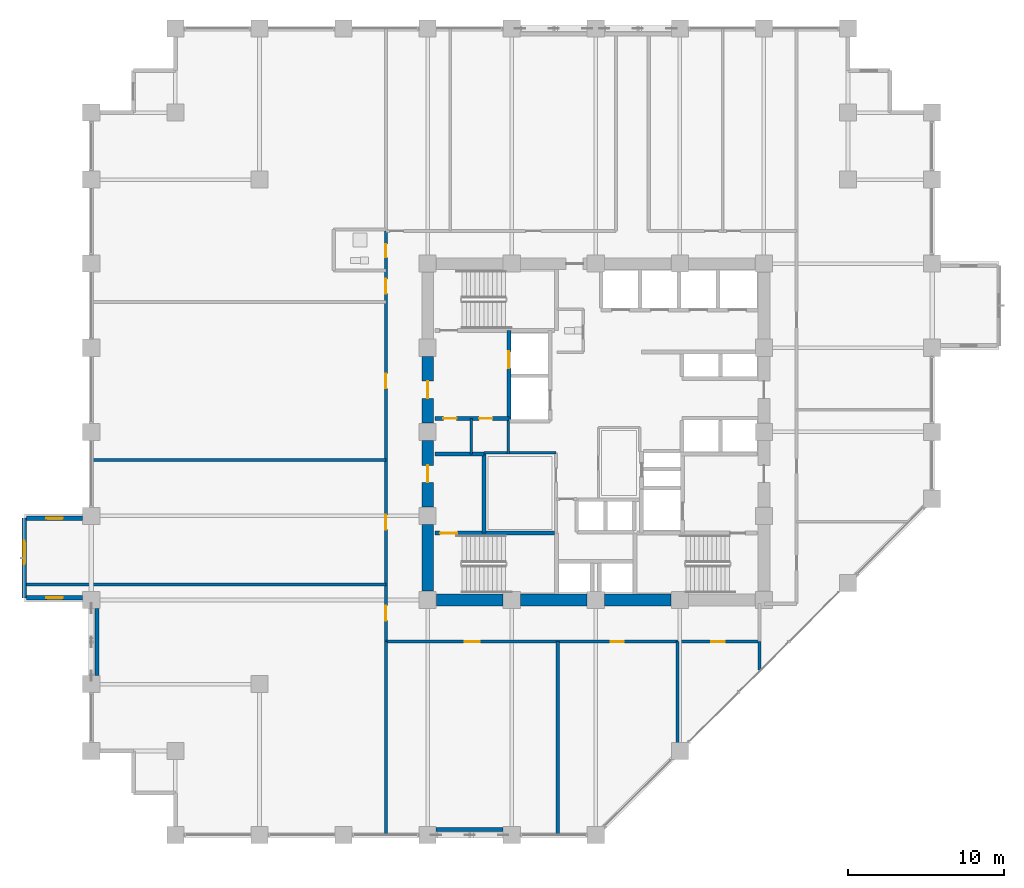
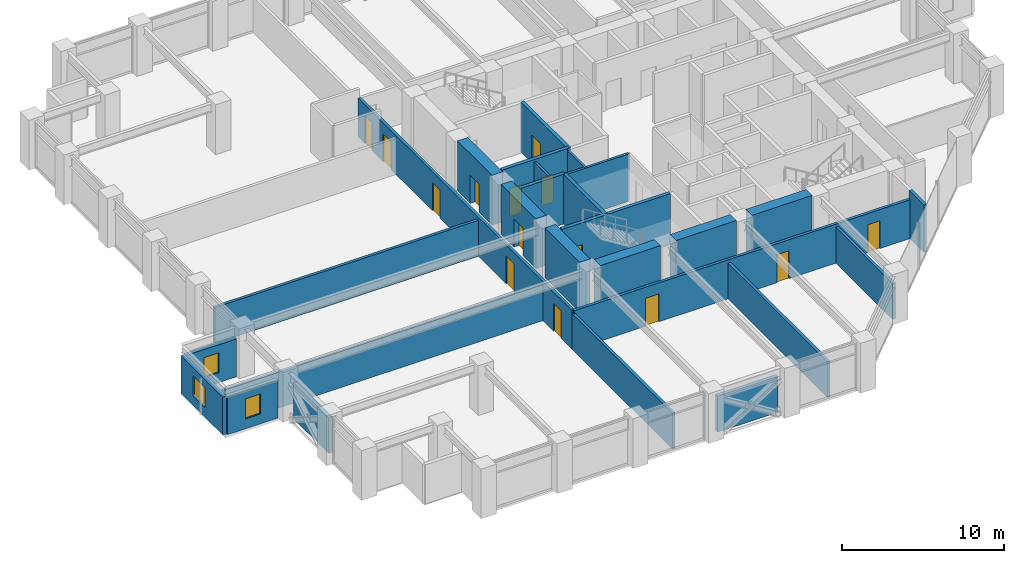
# One storey, part 22 of 29: 27 walls, 14 doors, 3 windows, 17 openings.
"""IFC4 building model written with IfcOpenShell, lengths in metres."""

from ifc_helpers import new_model, si_unit, direction, frame, frame_2d, origin, place, context, subcontext, project, spatial, rectangle, extrude, material, layer, layer_set, type_object, element, fill, save


model = new_model("IFC4")

# Units and contexts
model_context = context("Model", 3, precision=1e-05, world=origin(), true_north=direction((0.0, 1.0)))
body_context = subcontext(model_context, "Body", "Model", "MODEL_VIEW")
ifc_project = project(units=[si_unit("LENGTHUNIT", "METRE"), si_unit("AREAUNIT", "SQUARE_METRE"), si_unit("VOLUMEUNIT", "CUBIC_METRE"), si_unit("PLANEANGLEUNIT", "RADIAN"), si_unit("MASSUNIT", "GRAM", prefix="KILO")], contexts=[model_context])

# Site, building, storey
site_placement = place(None, origin())
site = spatial("IfcSite", under=ifc_project, at=site_placement, CompositionType="ELEMENT")
building_placement = place(site_placement, origin())
building = spatial("IfcBuilding", under=site, at=building_placement, Name="Surkhivell Harbour Commons", CompositionType="ELEMENT")
storey_placement = place(building_placement, frame((0.0, 0.0, 90.75)))
storey = spatial("IfcBuildingStorey", under=building, at=storey_placement, Name="L23", CompositionType="ELEMENT", Elevation=90.75)

# Walls
ifc_material_1 = material(Name="Concrete C60/75", Category="concrete")
ifc_layer_1 = layer(ifc_material_1, 0.75)
ifc_layer_set_1 = layer_set([ifc_layer_1], Name="Concrete C60/75")
wall_type_1 = type_object("IfcWallType", Name="WAL-CORE-750", PredefinedType="SHEAR", material=ifc_layer_set_1)
for number, where, z_axis, x_axis, name in (
    (1, (-10.239990234375, -10.800048828125, 0.0), (0.0, 0.0, 1.0), (1.0, 0.0, 0.0), "L23 Core Shear Wall South 1"),
    (2, (-10.800048828125, -10.239990234375, 0.0), (0.0, 0.0, 1.0), (0.0, 1.0, 0.0), "L23 Core Shear Wall West 1"),
    (3, (-4.840087890625, -10.800048828125, 0.0), (0.0, 0.0, 1.0), (1.0, 0.0, 0.0), "L23 Core Shear Wall South 2"),
):
    element("IfcWall", number, at=place(storey_placement, frame(where, z_axis=z_axis, x_axis=x_axis)), inside=storey, type_object=wall_type_1, Name=name, PredefinedType="SHEAR", context=body_context, shape_type="SweptSolid", body=[
        extrude(rectangle(XDim=4.280029296875, YDim=0.75, at=frame_2d((2.14013671875, 0.0))), origin(), (0.0, 0.0, 1.0), 3.75),
    ])

# Wall, opening, door
wall_1_placement = place(storey_placement, frame((-10.800048828125, -4.840087890625, 0.0), z_axis=(0.0, 0.0, 1.0), x_axis=(0.0, 1.0, 0.0)))
wall_1 = element("IfcWall", 4, at=wall_1_placement, inside=storey, type_object=wall_type_1, Name="L23 Core Shear Wall West 2", PredefinedType="SHEAR", context=body_context, shape_type="SweptSolid", body=[
    extrude(rectangle(XDim=4.280029296875, YDim=0.75, at=frame_2d((2.14013671875, 0.0))), origin(), (0.0, 0.0, 1.0), 3.75),
])
opening_1_placement = place(wall_1_placement, frame((1.590087890625, 0.0, 0.0)))
opening_1 = element("IfcOpeningElement", 5, at=opening_1_placement, cuts=wall_1, Name="Opening ID-2", PredefinedType="OPENING", context=body_context, shape_type="SweptSolid", body=[
    extrude(rectangle(XDim=1.10009765625, YDim=2.10009765625, at=frame_2d((0.550048828125, 1.050048828125))), frame((0.0, 0.385009765625, 0.0), z_axis=(0.0, -1.0, 0.0), x_axis=(1.0, 0.0, 0.0)), (0.0, 0.0, 1.0), 0.77001953125),
])
ifc_material_2 = material(Name="Hardwood-veneered fire-rated door leaf", Category="wood")
door_type_1 = type_object("IfcDoorType", Name="DOR-FD60-1100", OperationType="NOTDEFINED", PredefinedType="DOOR", material=ifc_material_2)
door_1_placement = place(opening_1_placement, origin())
door_1 = element("IfcDoor", 6, at=door_1_placement, inside=storey, type_object=door_type_1, Name="L23 Stair 3 Lobby Corridor Door", OperationType="SINGLE_SWING_LEFT", OverallHeight=2.10009765625, OverallWidth=1.10009765625, PredefinedType="DOOR", context=body_context, shape_type="SweptSolid", body=[
    extrude(rectangle(XDim=1.10009765625, YDim=2.10009765625, at=frame_2d((0.550048828125, 1.050048828125))), frame((0.0, 0.02490234375, 0.0), z_axis=(0.0, -1.0, 0.0), x_axis=(1.0, 0.0, 0.0)), (0.0, 0.0, 1.0), 0.050048828125),
])
fill(opening_1, door_1)

# Wall
wall_2_placement = place(storey_placement, frame((0.56005859375, -10.800048828125, 0.0), z_axis=(0.0, 0.0, 1.0), x_axis=(1.0, 0.0, 0.0)))
element("IfcWall", 7, at=wall_2_placement, inside=storey, type_object=wall_type_1, Name="L23 Core Shear Wall South 3", PredefinedType="SHEAR", context=body_context, shape_type="SweptSolid", body=[
    extrude(rectangle(XDim=4.280029296875, YDim=0.75, at=frame_2d((2.14013671875, 0.0))), origin(), (0.0, 0.0, 1.0), 3.75),
])

# Wall, opening, door
wall_3_placement = place(storey_placement, frame((-10.800048828125, 0.56005859375, 0.0), z_axis=(0.0, 0.0, 1.0), x_axis=(0.0, 1.0, 0.0)))
wall_3 = element("IfcWall", 8, at=wall_3_placement, inside=storey, type_object=wall_type_1, Name="L23 Core Shear Wall West 3", PredefinedType="SHEAR", context=body_context, shape_type="SweptSolid", body=[
    extrude(rectangle(XDim=4.280029296875, YDim=0.75, at=frame_2d((2.14013671875, 0.0))), origin(), (0.0, 0.0, 1.0), 3.75),
])
opening_2_placement = place(wall_3_placement, frame((1.590087890625, 0.0, 0.0)))
opening_2 = element("IfcOpeningElement", 9, at=opening_2_placement, cuts=wall_3, Name="Opening ID-1", PredefinedType="OPENING", context=body_context, shape_type="SweptSolid", body=[
    extrude(rectangle(XDim=1.10009765625, YDim=2.10009765625, at=frame_2d((0.550048828125, 1.050048828125))), frame((0.0, 0.385009765625, 0.0), z_axis=(0.0, -1.0, 0.0), x_axis=(1.0, 0.0, 0.0)), (0.0, 0.0, 1.0), 0.77001953125),
])
door_type_2 = type_object("IfcDoorType", Name="DOR-FD120-1100", OperationType="NOTDEFINED", PredefinedType="DOOR", material=ifc_material_2)
door_2_placement = place(opening_2_placement, origin())
door_2 = element("IfcDoor", 10, at=door_2_placement, inside=storey, type_object=door_type_2, Name="L23 Firefighting Lobby 1 Corridor Door", OperationType="SINGLE_SWING_LEFT", OverallHeight=2.10009765625, OverallWidth=1.10009765625, PredefinedType="DOOR", context=body_context, shape_type="SweptSolid", body=[
    extrude(rectangle(XDim=1.10009765625, YDim=2.10009765625, at=frame_2d((0.550048828125, 1.050048828125))), frame((0.0, 0.02490234375, 0.0), z_axis=(0.0, -1.0, 0.0), x_axis=(1.0, 0.0, 0.0)), (0.0, 0.0, 1.0), 0.050048828125),
])
fill(opening_2, door_2)

# Walls
ifc_material_3 = material(Name="Pale-metal insulated precast concrete C45/55", Category="concrete")
ifc_layer_2 = layer(ifc_material_3, 0.260009765625)
ifc_layer_set_2 = layer_set([ifc_layer_2], Name="Pale-metal insulated precast concrete C45/55")
wall_type_2 = type_object("IfcWallType", Name="WAL-EXT-MTL260", PredefinedType="STANDARD", material=ifc_layer_set_2)
wall_4_placement = place(storey_placement, frame((-10.251953125, -25.5400390625, 0.0), z_axis=(0.0, 0.0, 1.0), x_axis=(1.0, 0.0, 0.0)))
element("IfcWall", 11, at=wall_4_placement, inside=storey, type_object=wall_type_2, Name="L23 Braced-Bay Insulated Spandrel Backing S", PredefinedType="STANDARD", context=body_context, shape_type="SweptSolid", body=[
    extrude(rectangle(XDim=4.303955078125, YDim=0.260009765625, at=frame_2d((2.15185546875, 0.0))), origin(), (0.0, 0.0, 1.0), 2.698974609375),
])
wall_5_placement = place(storey_placement, frame((-32.0400390625, -15.652099609375, 0.0), z_axis=(0.0, 0.0, 1.0), x_axis=(0.0, 1.0, 0.0)))
element("IfcWall", 12, at=wall_5_placement, inside=storey, type_object=wall_type_2, Name="L23 Braced-Bay Insulated Spandrel Backing W", PredefinedType="STANDARD", context=body_context, shape_type="SweptSolid", body=[
    extrude(rectangle(XDim=4.30419921875, YDim=0.260009765625, at=frame_2d((2.152099609375, 0.0))), origin(), (0.0, 0.0, 1.0), 2.698974609375),
])

# Wall, opening, window
ifc_material_4 = material(Name="Terracotta-clad reinforced concrete C45/55", Category="masonry")
ifc_layer_3 = layer(ifc_material_4, 0.280029296875)
ifc_layer_set_3 = layer_set([ifc_layer_3], Name="Terracotta-clad reinforced concrete C45/55")
wall_type_3 = type_object("IfcWallType", Name="WAL-EXT-TER280", PredefinedType="STANDARD", material=ifc_layer_set_3)
wall_6_placement = place(storey_placement, frame((-36.699951171875, -5.52001953125, 0.0), z_axis=(0.0, 0.0, 1.0), x_axis=(0.0, -1.0, 0.0)))
wall_6 = element("IfcWall", 13, at=wall_6_placement, inside=storey, type_object=wall_type_3, Name="L23 Coloured Box Front Wall 02", PredefinedType="STANDARD", context=body_context, shape_type="SweptSolid", body=[
    extrude(rectangle(XDim=5.159912109375, YDim=0.280029296875, at=frame_2d((2.580078125, 0.0))), origin(), (0.0, 0.0, 1.0), 2.85693359375),
])
opening_3_placement = place(wall_6_placement, frame((1.47998046875, 0.0, 0.75)))
opening_3 = element("IfcOpeningElement", 14, at=opening_3_placement, cuts=wall_6, Name="Opening WN-13", PredefinedType="OPENING", context=body_context, shape_type="SweptSolid", body=[
    extrude(rectangle(XDim=1.5, YDim=1.5, at=frame_2d((0.75, 0.75))), frame((0.0, 0.14990234375, 0.0), z_axis=(0.0, -1.0, 0.0), x_axis=(1.0, 0.0, 0.0)), (0.0, 0.0, 1.0), 0.300048828125),
])
ifc_material_5 = material(Name="Thermal-break aluminium frame and double low-E glazing", Category="aluminium")
window_type_1 = type_object("IfcWindowType", Name="WIN-BOX-1500x1500", PartitioningType="SINGLE_PANEL", PredefinedType="WINDOW", material=ifc_material_5)
window_1_placement = place(opening_3_placement, origin())
window_1 = element("IfcWindow", 15, at=window_1_placement, inside=storey, type_object=window_type_1, Name="L23 Coloured Box Square Window 02-1", OverallHeight=1.5, OverallWidth=1.5, PartitioningType="SINGLE_PANEL", PredefinedType="WINDOW", context=body_context, shape_type="SweptSolid", body=[
    extrude(rectangle(XDim=1.5, YDim=1.5, at=frame_2d((0.75, 0.75))), frame((0.0, 0.030029296875, 0.0), z_axis=(0.0, -1.0, 0.0), x_axis=(1.0, 0.0, 0.0)), (0.0, 0.0, 1.0), 0.06005859375),
])
fill(opening_3, window_1)

wall_7_placement = place(storey_placement, frame((-36.56005859375, -10.659912109375, 0.0), z_axis=(0.0, 0.0, 1.0), x_axis=(1.0, 0.0, 0.0)))
wall_7 = element("IfcWall", 16, at=wall_7_placement, inside=storey, type_object=wall_type_3, Name="L23 Coloured Box Return Wall 02S", PredefinedType="STANDARD", context=body_context, shape_type="SweptSolid", body=[
    extrude(rectangle(XDim=3.60595703125, YDim=0.280029296875, at=frame_2d((1.802978515625, 0.0))), origin(), (0.0, 0.0, 1.0), 2.85693359375),
])
opening_4_placement = place(wall_7_placement, frame((1.278076171875, 0.0, 0.75)))
opening_4 = element("IfcOpeningElement", 17, at=opening_4_placement, cuts=wall_7, Name="Opening WN-11", PredefinedType="OPENING", context=body_context, shape_type="SweptSolid", body=[
    extrude(rectangle(XDim=1.050048828125, YDim=1.5, at=frame_2d((0.52490234375, 0.75))), frame((0.0, 0.14990234375, 0.0), z_axis=(0.0, -1.0, 0.0), x_axis=(1.0, 0.0, 0.0)), (0.0, 0.0, 1.0), 0.300048828125),
])
window_type_2 = type_object("IfcWindowType", Name="WIN-SER-1050x1500", PartitioningType="SINGLE_PANEL", PredefinedType="WINDOW", material=ifc_material_5)
window_2_placement = place(opening_4_placement, origin())
window_2 = element("IfcWindow", 18, at=window_2_placement, inside=storey, type_object=window_type_2, Name="L23 Coloured Box Return Window 02S", OverallHeight=1.5, OverallWidth=1.050048828125, PartitioningType="SINGLE_PANEL", PredefinedType="WINDOW", context=body_context, shape_type="SweptSolid", body=[
    extrude(rectangle(XDim=1.050048828125, YDim=1.5, at=frame_2d((0.52490234375, 0.75))), frame((0.0, 0.030029296875, 0.0), z_axis=(0.0, -1.0, 0.0), x_axis=(1.0, 0.0, 0.0)), (0.0, 0.0, 1.0), 0.06005859375),
])
fill(opening_4, window_2)

wall_8_placement = place(storey_placement, frame((-36.56005859375, -5.5400390625, 0.0), z_axis=(0.0, 0.0, 1.0), x_axis=(1.0, 0.0, 0.0)))
wall_8 = element("IfcWall", 19, at=wall_8_placement, inside=storey, type_object=wall_type_3, Name="L23 Coloured Box Return Wall 02N", PredefinedType="STANDARD", context=body_context, shape_type="SweptSolid", body=[
    extrude(rectangle(XDim=3.60595703125, YDim=0.280029296875, at=frame_2d((1.802978515625, 0.0))), origin(), (0.0, 0.0, 1.0), 2.85693359375),
])
opening_5_placement = place(wall_8_placement, frame((1.278076171875, 0.0, 0.75)))
opening_5 = element("IfcOpeningElement", 20, at=opening_5_placement, cuts=wall_8, Name="Opening WN-11", PredefinedType="OPENING", context=body_context, shape_type="SweptSolid", body=[
    extrude(rectangle(XDim=1.050048828125, YDim=1.5, at=frame_2d((0.52490234375, 0.75))), frame((0.0, 0.14990234375, 0.0), z_axis=(0.0, -1.0, 0.0), x_axis=(1.0, 0.0, 0.0)), (0.0, 0.0, 1.0), 0.300048828125),
])
window_3_placement = place(opening_5_placement, origin())
window_3 = element("IfcWindow", 21, at=window_3_placement, inside=storey, type_object=window_type_2, Name="L23 Coloured Box Return Window 02N", OverallHeight=1.5, OverallWidth=1.050048828125, PartitioningType="SINGLE_PANEL", PredefinedType="WINDOW", context=body_context, shape_type="SweptSolid", body=[
    extrude(rectangle(XDim=1.050048828125, YDim=1.5, at=frame_2d((0.52490234375, 0.75))), frame((0.0, 0.030029296875, 0.0), z_axis=(0.0, -1.0, 0.0), x_axis=(1.0, 0.0, 0.0)), (0.0, 0.0, 1.0), 0.06005859375),
])
fill(opening_5, window_3)

# Walls
ifc_material_6 = material(Name="Twin-stud acoustic fireboard partition", Category="other")
ifc_layer_4 = layer(ifc_material_6, 0.14990234375)
ifc_layer_set_4 = layer_set([ifc_layer_4], Name="Twin-stud acoustic fireboard partition")
wall_type_4 = type_object("IfcWallType", Name="WAL-INT-150", PredefinedType="PARTITIONING", material=ifc_layer_set_4)
wall_9_placement = place(storey_placement, frame((-8.0, -1.419921875, 0.0), z_axis=(0.0, 0.0, 1.0), x_axis=(0.0, 1.0, 0.0)))
element("IfcWall", 22, at=wall_9_placement, inside=storey, type_object=wall_type_4, Name="L23 West Core Cut D1", PredefinedType="PARTITIONING", context=body_context, shape_type="SweptSolid", body=[
    extrude(rectangle(XDim=2.27001953125, YDim=0.14990234375, at=frame_2d((1.135009765625, 0.0))), origin(), (0.0, 0.0, 1.0), 3.570068359375),
])
ifc_material_7 = material(Name="High-density acoustic blockwork fire partition", Category="masonry")
ifc_layer_5 = layer(ifc_material_7, 0.175048828125)
ifc_layer_set_5 = layer_set([ifc_layer_5], Name="High-density acoustic blockwork fire partition")
wall_type_5 = type_object("IfcWallType", Name="WAL-INT-175", PredefinedType="PARTITIONING", material=ifc_layer_set_5)
wall_10_placement = place(storey_placement, frame((-7.179931640625, -1.35009765625, 0.0), z_axis=(0.0, 0.0, 1.0), x_axis=(1.0, 0.0, 0.0)))
element("IfcWall", 23, at=wall_10_placement, inside=storey, type_object=wall_type_5, Name="L23 Core Service Bay North Wall", PredefinedType="PARTITIONING", context=body_context, shape_type="SweptSolid", body=[
    extrude(rectangle(XDim=4.6298828125, YDim=0.175048828125, at=frame_2d((2.31494140625, 0.0))), origin(), (0.0, 0.0, 1.0), 3.570068359375),
])
wall_11_placement = place(storey_placement, frame((-5.6201171875, -1.419921875, 0.0), z_axis=(0.0, 0.0, 1.0), x_axis=(0.0, 1.0, 0.0)))
element("IfcWall", 24, at=wall_11_placement, inside=storey, type_object=wall_type_5, Name="L23 West Core Bay East Wall", PredefinedType="PARTITIONING", context=body_context, shape_type="SweptSolid", body=[
    extrude(rectangle(XDim=2.139892578125, YDim=0.175048828125, at=frame_2d((1.06982421875, 0.0))), origin(), (0.0, 0.0, 1.0), 3.570068359375),
])
ifc_material_8 = material(Name="Autoclaved aerated concrete blockwork and fire plaster", Category="masonry")
ifc_layer_6 = layer(ifc_material_8, 0.199951171875)
ifc_layer_set_6 = layer_set([ifc_layer_6], Name="Autoclaved aerated concrete blockwork and fire plaster")
wall_type_6 = type_object("IfcWallType", Name="WAL-INT-200", PredefinedType="PARTITIONING", material=ifc_layer_set_6)
wall_12_placement = place(storey_placement, frame((10.52001953125, -15.295166015625, 0.0), z_axis=(0.0, 0.0, 1.0), x_axis=(0.0, 1.0, 0.0)))
element("IfcWall", 25, at=wall_12_placement, inside=storey, type_object=wall_type_6, Name="L23 South-East Wing Corner Divider", PredefinedType="PARTITIONING", context=body_context, shape_type="SweptSolid", body=[
    extrude(rectangle(XDim=1.815185546875, YDim=0.199951171875, at=frame_2d((0.90771484375, 0.0))), origin(), (0.0, 0.0, 1.0), 3.570068359375),
])
wall_13_placement = place(storey_placement, frame((-13.47998046875, -25.840087890625, 0.0), z_axis=(0.0, 0.0, 1.0), x_axis=(0.0, 1.0, 0.0)))
element("IfcWall", 26, at=wall_13_placement, inside=storey, type_object=wall_type_6, Name="L23 South-West Wing Corner Divider", PredefinedType="PARTITIONING", context=body_context, shape_type="SweptSolid", body=[
    extrude(rectangle(XDim=12.360107421875, YDim=0.199951171875, at=frame_2d((6.18017578125, 0.0))), origin(), (0.0, 0.0, 1.0), 2.698974609375),
])

# Wall, openings, doors
wall_14_placement = place(storey_placement, frame((-13.47998046875, -13.47998046875, 0.0), z_axis=(0.0, 0.0, 1.0), x_axis=(1.0, 0.0, 0.0)))
wall_14 = element("IfcWall", 27, at=wall_14_placement, inside=storey, type_object=wall_type_6, Name="L23 Corridor South Wall", PredefinedType="PARTITIONING", context=body_context, shape_type="SweptSolid", body=[
    extrude(rectangle(XDim=24.0, YDim=0.199951171875, at=frame_2d((12.0, 0.0))), origin(), (0.0, 0.0, 1.0), 2.93310546875),
])
opening_6_placement = place(wall_14_placement, frame((5.070068359375, 0.0, 0.0)))
opening_6 = element("IfcOpeningElement", 28, at=opening_6_placement, cuts=wall_14, Name="Opening ID-4", PredefinedType="OPENING", context=body_context, shape_type="SweptSolid", body=[
    extrude(rectangle(XDim=0.949951171875, YDim=2.10009765625, at=frame_2d((0.47509765625, 1.050048828125))), frame((0.0, 0.10986328125, 0.0), z_axis=(0.0, -1.0, 0.0), x_axis=(1.0, 0.0, 0.0)), (0.0, 0.0, 1.0), 0.219970703125),
])
opening_7_placement = place(wall_14_placement, frame((14.429931640625, 0.0, 0.0)))
opening_7 = element("IfcOpeningElement", 29, at=opening_7_placement, cuts=wall_14, Name="Opening ID-6", PredefinedType="OPENING", context=body_context, shape_type="SweptSolid", body=[
    extrude(rectangle(XDim=0.85009765625, YDim=2.10009765625, at=frame_2d((0.425048828125, 1.050048828125))), frame((0.0, 0.10986328125, 0.0), z_axis=(0.0, -1.0, 0.0), x_axis=(1.0, 0.0, 0.0)), (0.0, 0.0, 1.0), 0.219970703125),
])
opening_8_placement = place(wall_14_placement, frame((20.909912109375, 0.0, 0.0)))
opening_8 = element("IfcOpeningElement", 30, at=opening_8_placement, cuts=wall_14, Name="Opening ID-6", PredefinedType="OPENING", context=body_context, shape_type="SweptSolid", body=[
    extrude(rectangle(XDim=0.85009765625, YDim=2.10009765625, at=frame_2d((0.425048828125, 1.050048828125))), frame((0.0, 0.10986328125, 0.0), z_axis=(0.0, -1.0, 0.0), x_axis=(1.0, 0.0, 0.0)), (0.0, 0.0, 1.0), 0.219970703125),
])
door_type_3 = type_object("IfcDoorType", Name="DOR-FD30-850", OperationType="NOTDEFINED", PredefinedType="DOOR", material=ifc_material_2)
door_3_placement = place(opening_7_placement, origin())
door_3 = element("IfcDoor", 31, at=door_3_placement, inside=storey, type_object=door_type_3, Name="L23 Resident Social Lounge 2 South Door", OperationType="SINGLE_SWING_RIGHT", OverallHeight=2.10009765625, OverallWidth=0.85009765625, PredefinedType="DOOR", context=body_context, shape_type="SweptSolid", body=[
    extrude(rectangle(XDim=0.85009765625, YDim=2.10009765625, at=frame_2d((0.425048828125, 1.050048828125))), frame((0.0, 0.02490234375, 0.0), z_axis=(0.0, -1.0, 0.0), x_axis=(1.0, 0.0, 0.0)), (0.0, 0.0, 1.0), 0.050048828125),
])
fill(opening_7, door_3)
door_4_placement = place(opening_8_placement, origin())
door_4 = element("IfcDoor", 32, at=door_4_placement, inside=storey, type_object=door_type_3, Name="L23 Resident Social Lounge 3 South Door", OperationType="SINGLE_SWING_LEFT", OverallHeight=2.10009765625, OverallWidth=0.85009765625, PredefinedType="DOOR", context=body_context, shape_type="SweptSolid", body=[
    extrude(rectangle(XDim=0.85009765625, YDim=2.10009765625, at=frame_2d((0.425048828125, 1.050048828125))), frame((0.0, 0.02490234375, 0.0), z_axis=(0.0, -1.0, 0.0), x_axis=(1.0, 0.0, 0.0)), (0.0, 0.0, 1.0), 0.050048828125),
])
fill(opening_8, door_4)
door_type_4 = type_object("IfcDoorType", Name="DOR-FD60-950", OperationType="NOTDEFINED", PredefinedType="DOOR", material=ifc_material_2)
door_5_placement = place(opening_6_placement, origin())
door_5 = element("IfcDoor", 33, at=door_5_placement, inside=storey, type_object=door_type_4, Name="L23 Harbour Social Lounge South Door", OperationType="SINGLE_SWING_LEFT", OverallHeight=2.10009765625, OverallWidth=0.949951171875, PredefinedType="DOOR", context=body_context, shape_type="SweptSolid", body=[
    extrude(rectangle(XDim=0.949951171875, YDim=2.10009765625, at=frame_2d((0.47509765625, 1.050048828125))), frame((0.0, 0.02490234375, 0.0), z_axis=(0.0, -1.0, 0.0), x_axis=(1.0, 0.0, 0.0)), (0.0, 0.0, 1.0), 0.050048828125),
])
fill(opening_6, door_5)

wall_15_placement = place(storey_placement, frame((-13.47998046875, -13.47998046875, 0.0), z_axis=(0.0, 0.0, 1.0), x_axis=(0.0, 1.0, 0.0)))
wall_15 = element("IfcWall", 34, at=wall_15_placement, inside=storey, type_object=wall_type_6, Name="L23 Corridor West Wall", PredefinedType="PARTITIONING", context=body_context, shape_type="SweptSolid", body=[
    extrude(rectangle(XDim=26.3798828125, YDim=0.199951171875, at=frame_2d((13.18994140625, 0.0))), origin(), (0.0, 0.0, 1.0), 2.93310546875),
])
opening_9_placement = place(wall_15_placement, frame((1.360107421875, 0.0, 0.0)))
opening_9 = element("IfcOpeningElement", 35, at=opening_9_placement, cuts=wall_15, Name="Opening ID-4", PredefinedType="OPENING", context=body_context, shape_type="SweptSolid", body=[
    extrude(rectangle(XDim=0.949951171875, YDim=2.10009765625, at=frame_2d((0.47509765625, 1.050048828125))), frame((0.0, 0.10986328125, 0.0), z_axis=(0.0, -1.0, 0.0), x_axis=(1.0, 0.0, 0.0)), (0.0, 0.0, 1.0), 0.219970703125),
])
opening_10_placement = place(wall_15_placement, frame((24.68505859375, 0.0, 0.0)))
opening_10 = element("IfcOpeningElement", 36, at=opening_10_placement, cuts=wall_15, Name="Opening ID-6", PredefinedType="OPENING", context=body_context, shape_type="SweptSolid", body=[
    extrude(rectangle(XDim=0.85009765625, YDim=2.10009765625, at=frame_2d((0.425048828125, 1.050048828125))), frame((0.0, 0.10986328125, 0.0), z_axis=(0.0, -1.0, 0.0), x_axis=(1.0, 0.0, 0.0)), (0.0, 0.0, 1.0), 0.219970703125),
])
opening_11_placement = place(wall_15_placement, frame((22.35009765625, 0.0, 0.0)))
opening_11 = element("IfcOpeningElement", 37, at=opening_11_placement, cuts=wall_15, Name="Opening ID-4", PredefinedType="OPENING", context=body_context, shape_type="SweptSolid", body=[
    extrude(rectangle(XDim=0.949951171875, YDim=2.10009765625, at=frame_2d((0.47509765625, 1.050048828125))), frame((0.0, 0.10986328125, 0.0), z_axis=(0.0, -1.0, 0.0), x_axis=(1.0, 0.0, 0.0)), (0.0, 0.0, 1.0), 0.219970703125),
])
opening_12_placement = place(wall_15_placement, frame((7.195068359375, 0.0, 0.0)))
opening_12 = element("IfcOpeningElement", 38, at=opening_12_placement, cuts=wall_15, Name="Opening ID-4", PredefinedType="OPENING", context=body_context, shape_type="SweptSolid", body=[
    extrude(rectangle(XDim=0.949951171875, YDim=2.10009765625, at=frame_2d((0.47509765625, 1.050048828125))), frame((0.0, 0.10986328125, 0.0), z_axis=(0.0, -1.0, 0.0), x_axis=(1.0, 0.0, 0.0)), (0.0, 0.0, 1.0), 0.219970703125),
])
opening_13_placement = place(wall_15_placement, frame((16.27001953125, 0.0, 0.0)))
opening_13 = element("IfcOpeningElement", 39, at=opening_13_placement, cuts=wall_15, Name="Opening ID-4", PredefinedType="OPENING", context=body_context, shape_type="SweptSolid", body=[
    extrude(rectangle(XDim=0.949951171875, YDim=2.10009765625, at=frame_2d((0.47509765625, 1.050048828125))), frame((0.0, 0.10986328125, 0.0), z_axis=(0.0, -1.0, 0.0), x_axis=(1.0, 0.0, 0.0)), (0.0, 0.0, 1.0), 0.219970703125),
])
door_6_placement = place(opening_10_placement, origin())
door_6 = element("IfcDoor", 40, at=door_6_placement, inside=storey, type_object=door_type_3, Name="L23 Communal Shower Bathroom West Door", OperationType="SINGLE_SWING_RIGHT", OverallHeight=2.10009765625, OverallWidth=0.85009765625, PredefinedType="DOOR", context=body_context, shape_type="SweptSolid", body=[
    extrude(rectangle(XDim=0.85009765625, YDim=2.10009765625, at=frame_2d((0.425048828125, 1.050048828125))), frame((0.0, 0.02490234375, 0.0), z_axis=(0.0, -1.0, 0.0), x_axis=(1.0, 0.0, 0.0)), (0.0, 0.0, 1.0), 0.050048828125),
])
fill(opening_10, door_6)
door_7_placement = place(opening_9_placement, origin())
door_7 = element("IfcDoor", 41, at=door_7_placement, inside=storey, type_object=door_type_4, Name="L23 Shared Communal Kitchen West Door", OperationType="SINGLE_SWING_LEFT", OverallHeight=2.10009765625, OverallWidth=0.949951171875, PredefinedType="DOOR", context=body_context, shape_type="SweptSolid", body=[
    extrude(rectangle(XDim=0.949951171875, YDim=2.10009765625, at=frame_2d((0.47509765625, 1.050048828125))), frame((0.0, 0.02490234375, 0.0), z_axis=(0.0, -1.0, 0.0), x_axis=(1.0, 0.0, 0.0)), (0.0, 0.0, 1.0), 0.050048828125),
])
fill(opening_9, door_7)
door_8_placement = place(opening_11_placement, origin())
door_8 = element("IfcDoor", 42, at=door_8_placement, inside=storey, type_object=door_type_4, Name="L23 Academic Reading Commons West Door", OperationType="SINGLE_SWING_LEFT", OverallHeight=2.10009765625, OverallWidth=0.949951171875, PredefinedType="DOOR", context=body_context, shape_type="SweptSolid", body=[
    extrude(rectangle(XDim=0.949951171875, YDim=2.10009765625, at=frame_2d((0.47509765625, 1.050048828125))), frame((0.0, 0.02490234375, 0.0), z_axis=(0.0, -1.0, 0.0), x_axis=(1.0, 0.0, 0.0)), (0.0, 0.0, 1.0), 0.050048828125),
])
fill(opening_11, door_8)
door_9_placement = place(opening_12_placement, origin())
door_9 = element("IfcDoor", 43, at=door_9_placement, inside=storey, type_object=door_type_4, Name="L23 Hostel Cluster Bedroom 1 West Door", OperationType="SINGLE_SWING_RIGHT", OverallHeight=2.10009765625, OverallWidth=0.949951171875, PredefinedType="DOOR", context=body_context, shape_type="SweptSolid", body=[
    extrude(rectangle(XDim=0.949951171875, YDim=2.10009765625, at=frame_2d((0.47509765625, 1.050048828125))), frame((0.0, 0.02490234375, 0.0), z_axis=(0.0, -1.0, 0.0), x_axis=(1.0, 0.0, 0.0)), (0.0, 0.0, 1.0), 0.050048828125),
])
fill(opening_12, door_9)
door_10_placement = place(opening_13_placement, origin())
door_10 = element("IfcDoor", 44, at=door_10_placement, inside=storey, type_object=door_type_4, Name="L23 Co-Living Dormitory Bedroom 2 West Door", OperationType="SINGLE_SWING_LEFT", OverallHeight=2.10009765625, OverallWidth=0.949951171875, PredefinedType="DOOR", context=body_context, shape_type="SweptSolid", body=[
    extrude(rectangle(XDim=0.949951171875, YDim=2.10009765625, at=frame_2d((0.47509765625, 1.050048828125))), frame((0.0, 0.02490234375, 0.0), z_axis=(0.0, -1.0, 0.0), x_axis=(1.0, 0.0, 0.0)), (0.0, 0.0, 1.0), 0.050048828125),
])
fill(opening_13, door_10)

# Walls
wall_16_placement = place(storey_placement, frame((-2.43994140625, -25.840087890625, 0.0), z_axis=(0.0, 0.0, 1.0), x_axis=(0.0, 1.0, 0.0)))
element("IfcWall", 45, at=wall_16_placement, inside=storey, type_object=wall_type_6, Name="L23 South Partition P1", PredefinedType="PARTITIONING", context=body_context, shape_type="SweptSolid", body=[
    extrude(rectangle(XDim=12.360107421875, YDim=0.199951171875, at=frame_2d((6.18017578125, 0.0))), origin(), (0.0, 0.0, 1.0), 2.698974609375),
])
wall_17_placement = place(storey_placement, frame((5.239990234375, -20.5751953125, 0.0), z_axis=(0.0, 0.0, 1.0), x_axis=(0.0, 1.0, 0.0)))
element("IfcWall", 46, at=wall_17_placement, inside=storey, type_object=wall_type_6, Name="L23 South Partition P2", PredefinedType="PARTITIONING", context=body_context, shape_type="SweptSolid", body=[
    extrude(rectangle(XDim=7.09521484375, YDim=0.199951171875, at=frame_2d((3.547607421875, 0.0))), origin(), (0.0, 0.0, 1.0), 2.698974609375),
])
wall_18_placement = place(storey_placement, frame((-32.340087890625, -1.81005859375, 0.0), z_axis=(0.0, 0.0, 1.0), x_axis=(1.0, 0.0, 0.0)))
element("IfcWall", 47, at=wall_18_placement, inside=storey, type_object=wall_type_6, Name="L23 West Partition BDP1", PredefinedType="PARTITIONING", context=body_context, shape_type="SweptSolid", body=[
    extrude(rectangle(XDim=18.860107421875, YDim=0.199951171875, at=frame_2d((9.43017578125, 0.0))), origin(), (0.0, 0.0, 1.0), 2.698974609375),
])
wall_19_placement = place(storey_placement, frame((-36.639892578125, -9.800048828125, 0.0), z_axis=(0.0, 0.0, 1.0), x_axis=(1.0, 0.0, 0.0)))
element("IfcWall", 48, at=wall_19_placement, inside=storey, type_object=wall_type_6, Name="L23 West Partition PBOT", PredefinedType="PARTITIONING", context=body_context, shape_type="SweptSolid", body=[
    extrude(rectangle(XDim=23.159912109375, YDim=0.199951171875, at=frame_2d((11.580078125, 0.0))), origin(), (0.0, 0.0, 1.0), 2.698974609375),
])

# Wall, opening, door
ifc_material_9 = material(Name="Concrete C50/60", Category="concrete")
ifc_layer_7 = layer(ifc_material_9, 0.25)
ifc_layer_set_7 = layer_set([ifc_layer_7], Name="Concrete C50/60")
wall_type_7 = type_object("IfcWallType", Name="WAL-SHAFT-250", PredefinedType="SHEAR", material=ifc_layer_set_7)
wall_20_placement = place(storey_placement, frame((-5.580078125, 0.719970703125, 0.0), z_axis=(0.0, 0.0, 1.0), x_axis=(0.0, 1.0, 0.0)))
wall_20 = element("IfcWall", 49, at=wall_20_placement, inside=storey, type_object=wall_type_7, Name="L23 Firefighting Lobby 1 East Shaft Wall", PredefinedType="SHEAR", context=body_context, shape_type="SweptSolid", body=[
    extrude(rectangle(XDim=5.7900390625, YDim=0.25, at=frame_2d((2.89501953125, 0.0))), origin(), (0.0, 0.0, 1.0), 3.75),
])
opening_14_placement = place(wall_20_placement, frame((3.35009765625, 0.0, 0.0)))
opening_14 = element("IfcOpeningElement", 50, at=opening_14_placement, cuts=wall_20, Name="Opening LD-1", PredefinedType="OPENING", context=body_context, shape_type="SweptSolid", body=[
    extrude(rectangle(XDim=1.10009765625, YDim=2.10009765625, at=frame_2d((0.550048828125, 1.050048828125))), frame((0.0, 0.135009765625, 0.0), z_axis=(0.0, -1.0, 0.0), x_axis=(1.0, 0.0, 0.0)), (0.0, 0.0, 1.0), 0.27001953125),
])
ifc_material_10 = material(Name="Brushed stainless steel S355", Category="steel")
door_type_5 = type_object("IfcDoorType", Name="DOR-LD-1100", OperationType="SLIDING_TO_LEFT", PredefinedType="DOOR", material=ifc_material_10)
door_11_placement = place(opening_14_placement, origin())
door_11 = element("IfcDoor", 51, at=door_11_placement, inside=storey, type_object=door_type_5, Name="L23 Lift Landing Door LD-FFL1", OperationType="SLIDING_TO_LEFT", OverallHeight=2.10009765625, OverallWidth=1.10009765625, PredefinedType="DOOR", context=body_context, shape_type="SweptSolid", body=[
    extrude(rectangle(XDim=1.10009765625, YDim=2.10009765625, at=frame_2d((0.550048828125, 1.050048828125))), frame((0.0, 0.02490234375, 0.0), z_axis=(0.0, -1.0, 0.0), x_axis=(1.0, 0.0, 0.0)), (0.0, 0.0, 1.0), 0.050048828125),
])
fill(opening_14, door_11)

# Wall, openings, doors
wall_21_placement = place(storey_placement, frame((-10.340087890625, 0.85009765625, 0.0), z_axis=(0.0, 0.0, 1.0), x_axis=(1.0, 0.0, 0.0)))
wall_21 = element("IfcWall", 52, at=wall_21_placement, inside=storey, type_object=wall_type_7, Name="L23 Firefighting Lobby 1 South Wall", PredefinedType="SHEAR", context=body_context, shape_type="SweptSolid", body=[
    extrude(rectangle(XDim=4.760009765625, YDim=0.25, at=frame_2d((2.3798828125, 0.0))), origin(), (0.0, 0.0, 1.0), 3.75),
])
opening_15_placement = place(wall_21_placement, frame((0.550048828125, 0.0, 0.0)))
opening_15 = element("IfcOpeningElement", 53, at=opening_15_placement, cuts=wall_21, Name="Opening ID-6", PredefinedType="OPENING", context=body_context, shape_type="SweptSolid", body=[
    extrude(rectangle(XDim=0.85009765625, YDim=2.10009765625, at=frame_2d((0.425048828125, 1.050048828125))), frame((0.0, 0.135009765625, 0.0), z_axis=(0.0, -1.0, 0.0), x_axis=(1.0, 0.0, 0.0)), (0.0, 0.0, 1.0), 0.27001953125),
])
opening_16_placement = place(wall_21_placement, frame((2.85009765625, 0.0, 0.0)))
opening_16 = element("IfcOpeningElement", 54, at=opening_16_placement, cuts=wall_21, Name="Opening ID-6", PredefinedType="OPENING", context=body_context, shape_type="SweptSolid", body=[
    extrude(rectangle(XDim=0.85009765625, YDim=2.10009765625, at=frame_2d((0.425048828125, 1.050048828125))), frame((0.0, 0.135009765625, 0.0), z_axis=(0.0, -1.0, 0.0), x_axis=(1.0, 0.0, 0.0)), (0.0, 0.0, 1.0), 0.27001953125),
])
door_12_placement = place(opening_15_placement, origin())
door_12 = element("IfcDoor", 55, at=door_12_placement, inside=storey, type_object=door_type_3, Name="L23 West Seminar Pod Door", OperationType="SINGLE_SWING_LEFT", OverallHeight=2.10009765625, OverallWidth=0.85009765625, PredefinedType="DOOR", context=body_context, shape_type="SweptSolid", body=[
    extrude(rectangle(XDim=0.85009765625, YDim=2.10009765625, at=frame_2d((0.425048828125, 1.050048828125))), frame((0.0, 0.02490234375, 0.0), z_axis=(0.0, -1.0, 0.0), x_axis=(1.0, 0.0, 0.0)), (0.0, 0.0, 1.0), 0.050048828125),
])
fill(opening_15, door_12)
door_13_placement = place(opening_16_placement, origin())
door_13 = element("IfcDoor", 56, at=door_13_placement, inside=storey, type_object=door_type_3, Name="L23 West Reading Pod Door", OperationType="SINGLE_SWING_RIGHT", OverallHeight=2.10009765625, OverallWidth=0.85009765625, PredefinedType="DOOR", context=body_context, shape_type="SweptSolid", body=[
    extrude(rectangle(XDim=0.85009765625, YDim=2.10009765625, at=frame_2d((0.425048828125, 1.050048828125))), frame((0.0, 0.02490234375, 0.0), z_axis=(0.0, -1.0, 0.0), x_axis=(1.0, 0.0, 0.0)), (0.0, 0.0, 1.0), 0.050048828125),
])
fill(opening_16, door_13)

# Walls
wall_22_placement = place(storey_placement, frame((-7.179931640625, -6.510009765625, 0.0), z_axis=(0.0, 0.0, 1.0), x_axis=(0.0, 1.0, 0.0)))
element("IfcWall", 57, at=wall_22_placement, inside=storey, type_object=wall_type_7, Name="L23 Stair 3 Lobby East Wall", PredefinedType="SHEAR", context=body_context, shape_type="SweptSolid", body=[
    extrude(rectangle(XDim=5.090087890625, YDim=0.25, at=frame_2d((2.544921875, 0.0))), origin(), (0.0, 0.0, 1.0), 3.75),
])
wall_23_placement = place(storey_placement, frame((-10.340087890625, -1.419921875, 0.0), z_axis=(0.0, 0.0, 1.0), x_axis=(1.0, 0.0, 0.0)))
element("IfcWall", 58, at=wall_23_placement, inside=storey, type_object=wall_type_7, Name="L23 Stair 3 Lobby North Wall", PredefinedType="SHEAR", context=body_context, shape_type="SweptSolid", body=[
    extrude(rectangle(XDim=3.16015625, YDim=0.25, at=frame_2d((1.580078125, 0.0))), origin(), (0.0, 0.0, 1.0), 3.75),
])

# Wall, opening, door
wall_24_placement = place(storey_placement, frame((-10.340087890625, -6.510009765625, 0.0), z_axis=(0.0, 0.0, 1.0), x_axis=(1.0, 0.0, 0.0)))
wall_24 = element("IfcWall", 59, at=wall_24_placement, inside=storey, type_object=wall_type_7, Name="L23 Stair ST3 North Shear Wall", PredefinedType="SHEAR", context=body_context, shape_type="SweptSolid", body=[
    extrude(rectangle(XDim=7.7001953125, YDim=0.25, at=frame_2d((3.85009765625, 0.0))), origin(), (0.0, 0.0, 1.0), 3.75),
])
opening_17_placement = place(wall_24_placement, frame((0.35009765625, 0.0, 0.0)))
opening_17 = element("IfcOpeningElement", 60, at=opening_17_placement, cuts=wall_24, Name="Opening ID-2", PredefinedType="OPENING", context=body_context, shape_type="SweptSolid", body=[
    extrude(rectangle(XDim=1.10009765625, YDim=2.10009765625, at=frame_2d((0.550048828125, 1.050048828125))), frame((0.0, 0.135009765625, 0.0), z_axis=(0.0, -1.0, 0.0), x_axis=(1.0, 0.0, 0.0)), (0.0, 0.0, 1.0), 0.27001953125),
])
door_14_placement = place(opening_17_placement, origin())
door_14 = element("IfcDoor", 61, at=door_14_placement, inside=storey, type_object=door_type_1, Name="L23 Stair ST3 Exit Door", OperationType="SINGLE_SWING_RIGHT", OverallHeight=2.10009765625, OverallWidth=1.10009765625, PredefinedType="DOOR", context=body_context, shape_type="SweptSolid", body=[
    extrude(rectangle(XDim=1.10009765625, YDim=2.10009765625, at=frame_2d((0.550048828125, 1.050048828125))), frame((0.0, 0.02490234375, 0.0), z_axis=(0.0, -1.0, 0.0), x_axis=(1.0, 0.0, 0.0)), (0.0, 0.0, 1.0), 0.050048828125),
])
fill(opening_17, door_14)

save(model, "model.ifc")
